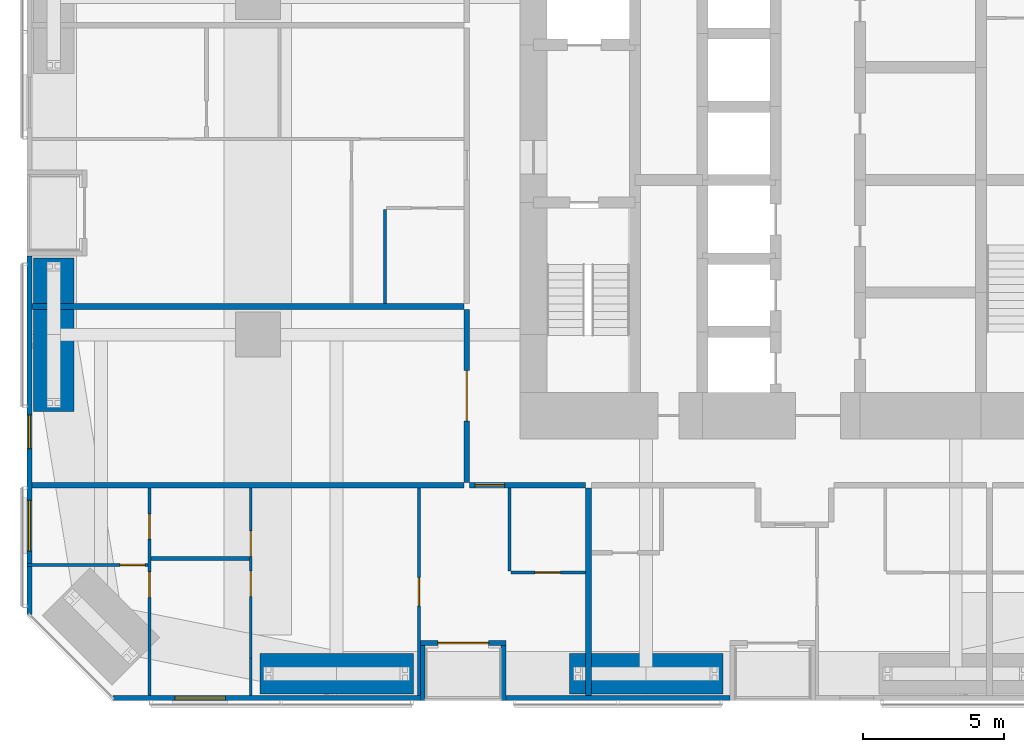
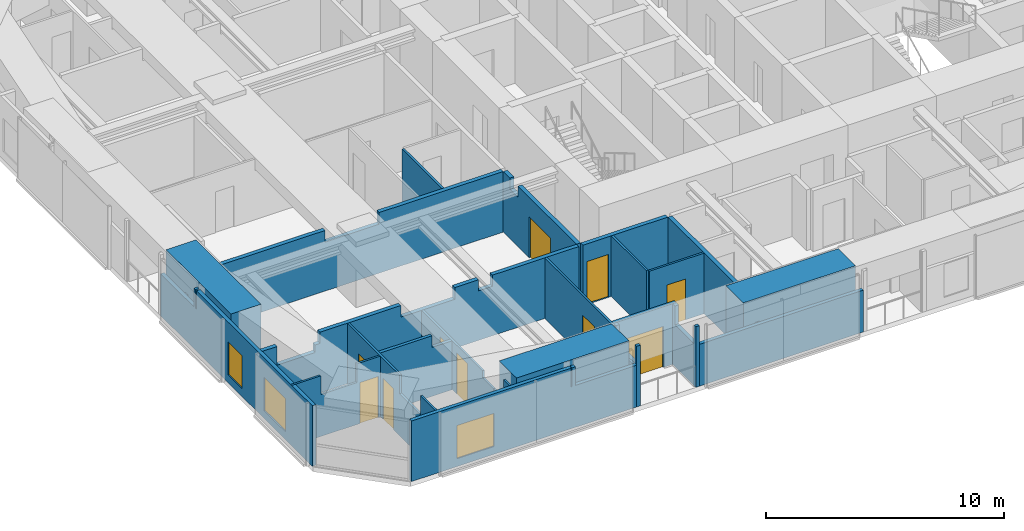
# One storey, part 16 of 23: 23 walls, 10 doors, 3 windows, 13 openings.
"""IFC4 building model written with IfcOpenShell, lengths in metres."""

from ifc_helpers import new_model, si_unit, direction, frame, frame_2d, origin, place, context, subcontext, project, spatial, polyline, rectangle, outline, extrude, material, layer, layer_set, constituent, constituent_set, type_object, element, fill, save


model = new_model("IFC4")

# Units and contexts
model_context = context("Model", 3, precision=1e-05, world=origin(), true_north=direction((0.0, 1.0)))
body_context = subcontext(model_context, "Body", "Model", "MODEL_VIEW")
ifc_project = project(units=[si_unit("LENGTHUNIT", "METRE"), si_unit("AREAUNIT", "SQUARE_METRE"), si_unit("VOLUMEUNIT", "CUBIC_METRE"), si_unit("PLANEANGLEUNIT", "RADIAN"), si_unit("MASSUNIT", "GRAM", prefix="KILO")], contexts=[model_context])

# Site, building, storey
site_placement = place(None, origin())
site = spatial("IfcSite", under=ifc_project, at=site_placement, CompositionType="ELEMENT")
building_placement = place(site_placement, origin())
building = spatial("IfcBuilding", under=site, at=building_placement, Name="Jalousie Tower", CompositionType="ELEMENT")
storey_placement = place(building_placement, frame((0.0, 0.0, 34.39990234375)))
storey = spatial("IfcBuildingStorey", under=building, at=storey_placement, Name="L08", CompositionType="ELEMENT", Elevation=34.39990234375)

# Wall
ifc_material_1 = material(Name="Concrete block ASTM C90", Category="concrete")
ifc_constituent_1 = constituent(ifc_material_1, Name="Body")
ifc_material_2 = material(Name="Render")
ifc_constituent_2 = constituent(ifc_material_2, Name="Finish")
ifc_constituent_set_1 = constituent_set(constituents=[ifc_constituent_1, ifc_constituent_2])
wall_type_1 = type_object("IfcWallType", Name="BATHROOM WALL 150", PredefinedType="PLUMBINGWALL", material=ifc_constituent_set_1)
wall_1_placement = place(storey_placement, frame((6.39990234375, 5.050048828125, 0.0), z_axis=(0.0, 0.0, 1.0), x_axis=(1.0, 0.0, 0.0)))
element("IfcWall", 1, at=wall_1_placement, inside=storey, type_object=wall_type_1, Name="Bathroom Wall 150 L08", PredefinedType="PLUMBINGWALL", context=body_context, shape_type="SweptSolid", body=[
    extrude(outline(polyline([(0.0, 0.0), (3.5, 0.0), (3.5, 3.110107421875), (3.5, 2.510009765625), (2.514892578125, 2.510009765625), (2.514892578125, 3.110107421875), (0.0, 3.110107421875), (0.0, 0.0)])), frame((0.0, 0.074951171875, 0.0), z_axis=(0.0, -1.0, 0.0), x_axis=(1.0, 0.0, 0.0)), (0.0, 0.0, 1.0), 0.14990234375),
])

# Wall, opening, door
ifc_material_3 = material(Name="Concrete block ASTM C90", Category="concrete")
ifc_constituent_3 = constituent(ifc_material_3, Name="Body")
ifc_material_4 = material(Name="Render")
ifc_constituent_4 = constituent(ifc_material_4, Name="Finish")
ifc_constituent_set_2 = constituent_set(constituents=[ifc_constituent_3, ifc_constituent_4])
wall_type_2 = type_object("IfcWallType", Name="CORRIDOR WALL 200", PredefinedType="PARTITIONING", material=ifc_constituent_set_2)
wall_2_placement = place(storey_placement, frame((17.72509765625, 7.64990234375, 0.0), z_axis=(0.0, 0.0, 1.0), x_axis=(1.0, 0.0, 0.0)))
wall_2 = element("IfcWall", 2, at=wall_2_placement, inside=storey, type_object=wall_type_2, Name="Corridor Wall 200 L08", PredefinedType="PARTITIONING", context=body_context, shape_type="SweptSolid", body=[
    extrude(rectangle(XDim=4.125, YDim=0.199951171875, at=frame_2d((2.0625, 0.0))), origin(), (0.0, 0.0, 1.0), 3.110107421875),
])
opening_1_placement = place(wall_2_placement, frame((0.199951171875, 0.0, 0.0)))
opening_1 = element("IfcOpeningElement", 3, at=opening_1_placement, cuts=wall_2, Name="Opening D1", PredefinedType="OPENING", context=body_context, shape_type="SweptSolid", body=[
    extrude(rectangle(XDim=1.050048828125, YDim=2.199951171875, at=frame_2d((0.52490234375, 1.10009765625))), frame((0.0, 0.10986328125, 0.0), z_axis=(0.0, -1.0, 0.0), x_axis=(1.0, 0.0, 0.0)), (0.0, 0.0, 1.0), 0.219970703125),
])
ifc_material_5 = material(Name="Timber fire door", Category="wood")
door_type_1 = type_object("IfcDoorType", Name="APARTMENT ENTRANCE DOOR 1050", OperationType="SINGLE_SWING_LEFT", PredefinedType="DOOR", material=ifc_material_5)
door_1_placement = place(opening_1_placement, frame((1.050048828125, 0.0, 0.0), z_axis=(0.0, 0.0, 1.0), x_axis=(-1.0, 0.0, 0.0)))
door_1 = element("IfcDoor", 4, at=door_1_placement, inside=storey, type_object=door_type_1, Name="Apartment 0801 entrance", OperationType="SINGLE_SWING_LEFT", OverallHeight=2.199951171875, OverallWidth=1.050048828125, PredefinedType="DOOR", context=body_context, shape_type="SweptSolid", body=[
    extrude(rectangle(XDim=1.050048828125, YDim=2.199951171875, at=frame_2d((0.52490234375, 1.10009765625))), frame((0.0, 0.02490234375, 0.0), z_axis=(0.0, -1.0, 0.0), x_axis=(1.0, 0.0, 0.0)), (0.0, 0.0, 1.0), 0.050048828125),
])
fill(opening_1, door_1)

wall_3_placement = place(storey_placement, frame((17.625, 7.75, 0.0), z_axis=(0.0, 0.0, 1.0), x_axis=(0.0, 1.0, 0.0)))
wall_3 = element("IfcWall", 5, at=wall_3_placement, inside=storey, type_object=wall_type_2, Name="Corridor Wall 200 L08", PredefinedType="PARTITIONING", context=body_context, shape_type="SweptSolid", body=[
    extrude(outline(polyline([(0.0, 0.0), (6.14990234375, 0.0), (6.14990234375, 3.110107421875), (5.58740234375, 3.110107421875), (5.58740234375, 2.541015625), (4.91259765625, 2.541015625), (4.91259765625, 3.110107421875), (0.0, 3.110107421875), (0.0, 0.0)])), frame((0.0, 0.10009765625, 0.0), z_axis=(0.0, -1.0, 0.0), x_axis=(1.0, 0.0, 0.0)), (0.0, 0.0, 1.0), 0.199951171875),
])
opening_2_placement = place(wall_3_placement, frame((2.175048828125, 0.0, 0.0)))
opening_2 = element("IfcOpeningElement", 6, at=opening_2_placement, cuts=wall_3, Name="Opening D22", PredefinedType="OPENING", context=body_context, shape_type="SweptSolid", body=[
    extrude(rectangle(XDim=1.800048828125, YDim=2.10009765625, at=frame_2d((0.89990234375, 1.050048828125))), frame((0.0, 0.10986328125, 0.0), z_axis=(0.0, -1.0, 0.0), x_axis=(1.0, 0.0, 0.0)), (0.0, 0.0, 1.0), 0.219970703125),
])
ifc_material_6 = material(Name="Timber fire door", Category="wood")
door_type_2 = type_object("IfcDoorType", Name="CORRIDOR DOUBLE DOOR 1800", OperationType="DOUBLE_DOOR_SINGLE_SWING", PredefinedType="DOOR", material=ifc_material_6)
door_2_placement = place(opening_2_placement, origin())
door_2 = element("IfcDoor", 7, at=door_2_placement, inside=storey, type_object=door_type_2, Name="Residents' co-working room door", OperationType="DOUBLE_DOOR_SINGLE_SWING", OverallHeight=2.10009765625, OverallWidth=1.800048828125, PredefinedType="DOOR", context=body_context, shape_type="SweptSolid", body=[
    extrude(rectangle(XDim=1.800048828125, YDim=2.10009765625, at=frame_2d((0.89990234375, 1.050048828125))), frame((0.0, 0.02490234375, 0.0), z_axis=(0.0, -1.0, 0.0), x_axis=(1.0, 0.0, 0.0)), (0.0, 0.0, 1.0), 0.050048828125),
])
fill(opening_2, door_2)

# Wall, opening, window
ifc_material_7 = material(Name="Concrete f'c 40 MPa", Category="concrete")
ifc_constituent_5 = constituent(ifc_material_7, Name="Body")
ifc_material_8 = material(Name="Render, pastel coral")
ifc_constituent_6 = constituent(ifc_material_8, Name="Finish")
ifc_constituent_set_3 = constituent_set(constituents=[ifc_constituent_5, ifc_constituent_6])
wall_type_3 = type_object("IfcWallType", Name="EXTERNAL WALL 175 CORAL RENDER", PredefinedType="SOLIDWALL", material=ifc_constituent_set_3)
wall_4_placement = place(storey_placement, frame((5.05126953125, 0.08740234375, 0.0), z_axis=(0.0, 0.0, 1.0), x_axis=(1.0, 0.0, 0.0)))
wall_4 = element("IfcWall", 8, at=wall_4_placement, inside=storey, type_object=wall_type_3, Name="External Wall 175 Coral Render L08", PredefinedType="SOLIDWALL", context=body_context, shape_type="SweptSolid", body=[
    extrude(outline(polyline([(0.0, 0.0), (10.923828125, 0.0), (10.923583984375, 2.150146484375), (7.94873046875, 2.150146484375), (7.94873046875, 3.110107421875), (7.79296875, 3.110107421875), (7.79296875, 2.150146484375), (7.74462890625, 2.150146484375), (7.74462890625, 3.110107421875), (0.0, 3.110107421875), (0.0, 0.0)])), frame((0.0, 0.08740234375, 0.0), z_axis=(0.0, -1.0, 0.0), x_axis=(1.0, 0.0, 0.0)), (0.0, 0.0, 1.0), 0.175048828125),
])
opening_3_placement = place(wall_4_placement, frame((2.19873046875, 0.0, 0.39990234375)))
opening_3 = element("IfcOpeningElement", 9, at=opening_3_placement, cuts=wall_4, Name="Opening W-BED170", PredefinedType="OPENING", context=body_context, shape_type="SweptSolid", body=[
    extrude(rectangle(XDim=1.800048828125, YDim=1.699951171875, at=frame_2d((0.89990234375, 0.85009765625))), frame((0.0, 0.097412109375, 0.0), z_axis=(0.0, -1.0, 0.0), x_axis=(1.0, 0.0, 0.0)), (0.0, 0.0, 1.0), 0.195068359375),
])
ifc_material_9 = material(Name="Aluminium frame, impact-rated glazing", Category="aluminium")
window_type_1 = type_object("IfcWindowType", Name="WINDOW BED 1800x1700", PartitioningType="SINGLE_PANEL", PredefinedType="WINDOW", material=ifc_material_9)
window_1_placement = place(opening_3_placement, origin())
window_1 = element("IfcWindow", 10, at=window_1_placement, inside=storey, type_object=window_type_1, Name="Apartment 0801 bedroom 2 window", OverallHeight=1.699951171875, OverallWidth=1.800048828125, PartitioningType="SINGLE_PANEL", PredefinedType="WINDOW", context=body_context, shape_type="SweptSolid", body=[
    extrude(rectangle(XDim=1.800048828125, YDim=1.699951171875, at=frame_2d((0.89990234375, 0.85009765625))), frame((0.0, 0.030029296875, 0.0), z_axis=(0.0, -1.0, 0.0), x_axis=(1.0, 0.0, 0.0)), (0.0, 0.0, 1.0), 0.06005859375),
])
fill(opening_3, window_1)

# Wall
wall_5_placement = place(storey_placement, frame((19.02490234375, 0.08740234375, 0.0), z_axis=(0.0, 0.0, 1.0), x_axis=(1.0, 0.0, 0.0)))
element("IfcWall", 11, at=wall_5_placement, inside=storey, type_object=wall_type_3, Name="External Wall 175 Coral Render L08", PredefinedType="SOLIDWALL", context=body_context, shape_type="SweptSolid", body=[
    extrude(rectangle(XDim=7.9501953125, YDim=0.175048828125, at=frame_2d((3.97509765625, 0.0))), origin(), (0.0, 0.0, 1.0), 2.150146484375),
])

# Wall, opening, door
wall_6_placement = place(storey_placement, frame((15.97509765625, 2.03759765625, 0.0), z_axis=(0.0, 0.0, 1.0), x_axis=(1.0, 0.0, 0.0)))
wall_6 = element("IfcWall", 12, at=wall_6_placement, inside=storey, type_object=wall_type_3, Name="External Wall 175 Coral Render L08", PredefinedType="SOLIDWALL", context=body_context, shape_type="SweptSolid", body=[
    extrude(rectangle(XDim=3.0498046875, YDim=0.175048828125, at=frame_2d((1.52490234375, 0.0))), origin(), (0.0, 0.0, 1.0), 3.110107421875),
])
opening_4_placement = place(wall_6_placement, frame((0.625, 0.0, 0.0)))
opening_4 = element("IfcOpeningElement", 13, at=opening_4_placement, cuts=wall_6, Name="Opening D-BAL21", PredefinedType="OPENING", context=body_context, shape_type="SweptSolid", body=[
    extrude(rectangle(XDim=1.800048828125, YDim=2.10009765625, at=frame_2d((0.89990234375, 1.050048828125))), frame((0.0, 0.097412109375, 0.0), z_axis=(0.0, -1.0, 0.0), x_axis=(1.0, 0.0, 0.0)), (0.0, 0.0, 1.0), 0.195068359375),
])
ifc_material_10 = material(Name="Aluminium frame, impact-rated glazing", Category="aluminium")
door_type_3 = type_object("IfcDoorType", Name="BALCONY DOOR 1800x2100", OperationType="SLIDING_TO_LEFT", PredefinedType="DOOR", material=ifc_material_10)
door_3_placement = place(opening_4_placement, origin())
door_3 = element("IfcDoor", 14, at=door_3_placement, inside=storey, type_object=door_type_3, Name="Apartment 0801 living room loggia door", OperationType="SLIDING_TO_LEFT", OverallHeight=2.10009765625, OverallWidth=1.800048828125, PredefinedType="DOOR", context=body_context, shape_type="SweptSolid", body=[
    extrude(rectangle(XDim=1.800048828125, YDim=2.10009765625, at=frame_2d((0.89990234375, 1.050048828125))), frame((0.0, 0.02490234375, 0.0), z_axis=(0.0, -1.0, 0.0), x_axis=(1.0, 0.0, 0.0)), (0.0, 0.0, 1.0), 0.050048828125),
])
fill(opening_4, door_3)

# Walls
for number, where, z_axis, x_axis, name in (
    (15, (16.0625, 0.0, 0.0), (0.0, 0.0, 1.0), (0.0, 1.0, 0.0), "External Wall 175 Coral Render L08"),
    (16, (18.9375, 0.0, 0.0), (0.0, 0.0, 1.0), (0.0, 1.0, 0.0), "External Wall 175 Coral Render L08"),
):
    element("IfcWall", number, at=place(storey_placement, frame(where, z_axis=z_axis, x_axis=x_axis)), inside=storey, type_object=wall_type_3, Name=name, PredefinedType="SOLIDWALL", context=body_context, shape_type="SweptSolid", body=[
        extrude(outline(polyline([(0.0, 0.0), (1.949951171875, 0.0), (1.949951171875, 3.110107421875), (1.75, 3.110107421875), (1.75, 2.150146484375), (0.14990234375, 2.150146484375), (0.14990234375, 3.110107421875), (0.0, 3.110107421875), (0.0, 0.0)])), frame((0.0, 0.08740234375, 0.0), z_axis=(0.0, -1.0, 0.0), x_axis=(1.0, 0.0, 0.0)), (0.0, 0.0, 1.0), 0.175048828125),
    ])

# Wall, openings, windows
wall_7_placement = place(storey_placement, frame((2.08740234375, 15.800048828125, 0.0), z_axis=(0.0, 0.0, 1.0), x_axis=(0.0, -1.0, 0.0)))
wall_7 = element("IfcWall", 17, at=wall_7_placement, inside=storey, type_object=wall_type_3, Name="External Wall 175 Coral Render L08", PredefinedType="SOLIDWALL", context=body_context, shape_type="SweptSolid", body=[
    extrude(outline(polyline([(0.0, 0.0), (12.748779296875, 0.0), (12.748779296875, 3.110107421875), (3.0185546875, 3.110107421875), (3.0185546875, 2.150146484375), (2.92578125, 2.150146484375), (2.92578125, 3.110107421875), (2.800048828125, 3.110107421875), (2.800048828125, 2.150146484375), (0.0, 2.150146484375), (0.0, 0.0)])), frame((0.0, 0.08740234375, 0.0), z_axis=(0.0, -1.0, 0.0), x_axis=(1.0, 0.0, 0.0)), (0.0, 0.0, 1.0), 0.175048828125),
])
opening_5_placement = place(wall_7_placement, frame((5.64990234375, 0.0, 0.39990234375)))
opening_5 = element("IfcOpeningElement", 18, at=opening_5_placement, cuts=wall_7, Name="Opening W-COR170", PredefinedType="OPENING", context=body_context, shape_type="SweptSolid", body=[
    extrude(rectangle(XDim=1.199951171875, YDim=1.699951171875, at=frame_2d((0.60009765625, 0.85009765625))), frame((0.0, 0.097412109375, 0.0), z_axis=(0.0, -1.0, 0.0), x_axis=(1.0, 0.0, 0.0)), (0.0, 0.0, 1.0), 0.195068359375),
])
opening_6_placement = place(wall_7_placement, frame((8.69140625, 0.0, 0.39990234375)))
opening_6 = element("IfcOpeningElement", 19, at=opening_6_placement, cuts=wall_7, Name="Opening W-BED170", PredefinedType="OPENING", context=body_context, shape_type="SweptSolid", body=[
    extrude(rectangle(XDim=1.800048828125, YDim=1.699951171875, at=frame_2d((0.89990234375, 0.85009765625))), frame((0.0, 0.097412109375, 0.0), z_axis=(0.0, -1.0, 0.0), x_axis=(1.0, 0.0, 0.0)), (0.0, 0.0, 1.0), 0.195068359375),
])
window_2_placement = place(opening_6_placement, origin())
window_2 = element("IfcWindow", 20, at=window_2_placement, inside=storey, type_object=window_type_1, Name="Apartment 0801 bedroom 1 window", OverallHeight=1.699951171875, OverallWidth=1.800048828125, PartitioningType="SINGLE_PANEL", PredefinedType="WINDOW", context=body_context, shape_type="SweptSolid", body=[
    extrude(rectangle(XDim=1.800048828125, YDim=1.699951171875, at=frame_2d((0.89990234375, 0.85009765625))), frame((0.0, 0.030029296875, 0.0), z_axis=(0.0, -1.0, 0.0), x_axis=(1.0, 0.0, 0.0)), (0.0, 0.0, 1.0), 0.06005859375),
])
fill(opening_6, window_2)
ifc_material_11 = material(Name="Aluminium frame, impact-rated glazing", Category="aluminium")
window_type_2 = type_object("IfcWindowType", Name="WINDOW COR 1200x1700", PartitioningType="SINGLE_PANEL", PredefinedType="WINDOW", material=ifc_material_11)
window_3_placement = place(opening_5_placement, origin())
window_3 = element("IfcWindow", 21, at=window_3_placement, inside=storey, type_object=window_type_2, Name="Residents' co-working room window", OverallHeight=1.699951171875, OverallWidth=1.199951171875, PartitioningType="SINGLE_PANEL", PredefinedType="WINDOW", context=body_context, shape_type="SweptSolid", body=[
    extrude(rectangle(XDim=1.199951171875, YDim=1.699951171875, at=frame_2d((0.60009765625, 0.85009765625))), frame((0.0, 0.030029296875, 0.0), z_axis=(0.0, -1.0, 0.0), x_axis=(1.0, 0.0, 0.0)), (0.0, 0.0, 1.0), 0.06005859375),
])
fill(opening_5, window_3)

# Wall, openings, doors
ifc_material_12 = material(Name="Gypsum board", Category="gypsum")
ifc_constituent_7 = constituent(ifc_material_12, Name="Body")
ifc_material_13 = material(Name="Light-gauge steel studs ASTM A653 SS Grade 33", Category="steel")
ifc_constituent_8 = constituent(ifc_material_13, Name="Framing")
ifc_constituent_set_4 = constituent_set(constituents=[ifc_constituent_7, ifc_constituent_8])
wall_type_4 = type_object("IfcWallType", Name="PARTITION 100", PredefinedType="PARTITIONING", material=ifc_constituent_set_4)
wall_8_placement = place(storey_placement, frame((6.35009765625, 0.175048828125, 0.0), z_axis=(0.0, 0.0, 1.0), x_axis=(0.0, 1.0, 0.0)))
wall_8 = element("IfcWall", 22, at=wall_8_placement, inside=storey, type_object=wall_type_4, Name="Partition 100 L08", PredefinedType="PARTITIONING", context=body_context, shape_type="SweptSolid", body=[
    extrude(outline(polyline([(0.0, 0.0), (7.375, 0.0), (7.375, 3.110107421875), (2.98828125, 3.110107421875), (2.98828125, 2.150146484375), (1.23388671875, 2.150146484375), (1.23388671875, 3.110107421875), (0.0, 3.110107421875), (0.0, 0.0)])), frame((0.0, 0.050048828125, 0.0), z_axis=(0.0, -1.0, 0.0), x_axis=(1.0, 0.0, 0.0)), (0.0, 0.0, 1.0), 0.10009765625),
])
opening_7_placement = place(wall_8_placement, frame((3.492431640625, 0.0, 0.0)))
opening_7 = element("IfcOpeningElement", 23, at=opening_7_placement, cuts=wall_8, Name="Opening D2", PredefinedType="OPENING", context=body_context, shape_type="SweptSolid", body=[
    extrude(rectangle(XDim=0.89990234375, YDim=2.10009765625, at=frame_2d((0.449951171875, 1.050048828125))), frame((0.0, 0.06005859375, 0.0), z_axis=(0.0, -1.0, 0.0), x_axis=(1.0, 0.0, 0.0)), (0.0, 0.0, 1.0), 0.1201171875),
])
opening_8_placement = place(wall_8_placement, frame((5.55859375, 0.0, 0.0)))
opening_8 = element("IfcOpeningElement", 24, at=opening_8_placement, cuts=wall_8, Name="Opening D3", PredefinedType="OPENING", context=body_context, shape_type="SweptSolid", body=[
    extrude(rectangle(XDim=0.89990234375, YDim=2.10009765625, at=frame_2d((0.449951171875, 1.050048828125))), frame((0.0, 0.06005859375, 0.0), z_axis=(0.0, -1.0, 0.0), x_axis=(1.0, 0.0, 0.0)), (0.0, 0.0, 1.0), 0.1201171875),
])
ifc_material_14 = material(Name="Timber door", Category="wood")
door_type_4 = type_object("IfcDoorType", Name="BATHROOM DOOR 900", OperationType="SINGLE_SWING_LEFT", PredefinedType="DOOR", material=ifc_material_14)
door_4_placement = place(opening_8_placement, frame((0.89990234375, 0.0, 0.0), z_axis=(0.0, 0.0, 1.0), x_axis=(-1.0, 0.0, 0.0)))
door_4 = element("IfcDoor", 25, at=door_4_placement, inside=storey, type_object=door_type_4, Name="Apartment 0801 bedroom 1 bathroom door", OperationType="SINGLE_SWING_RIGHT", OverallHeight=2.10009765625, OverallWidth=0.89990234375, PredefinedType="DOOR", context=body_context, shape_type="SweptSolid", body=[
    extrude(rectangle(XDim=0.89990234375, YDim=2.10009765625, at=frame_2d((0.449951171875, 1.050048828125))), frame((0.0, 0.02490234375, 0.0), z_axis=(0.0, -1.0, 0.0), x_axis=(1.0, 0.0, 0.0)), (0.0, 0.0, 1.0), 0.050048828125),
])
fill(opening_8, door_4)
ifc_material_15 = material(Name="Timber door", Category="wood")
door_type_5 = type_object("IfcDoorType", Name="BEDROOM DOOR 900", OperationType="SINGLE_SWING_LEFT", PredefinedType="DOOR", material=ifc_material_15)
door_5_placement = place(opening_7_placement, frame((0.89990234375, 0.0, 0.0), z_axis=(0.0, 0.0, 1.0), x_axis=(-1.0, 0.0, 0.0)))
door_5 = element("IfcDoor", 26, at=door_5_placement, inside=storey, type_object=door_type_5, Name="Apartment 0801 bedroom 1 door", OperationType="SINGLE_SWING_LEFT", OverallHeight=2.10009765625, OverallWidth=0.89990234375, PredefinedType="DOOR", context=body_context, shape_type="SweptSolid", body=[
    extrude(rectangle(XDim=0.89990234375, YDim=2.10009765625, at=frame_2d((0.449951171875, 1.050048828125))), frame((0.0, 0.02490234375, 0.0), z_axis=(0.0, -1.0, 0.0), x_axis=(1.0, 0.0, 0.0)), (0.0, 0.0, 1.0), 0.050048828125),
])
fill(opening_7, door_5)

# Wall
wall_9_placement = place(storey_placement, frame((9.949951171875, 0.175048828125, 0.0), z_axis=(0.0, 0.0, 1.0), x_axis=(0.0, 1.0, 0.0)))
element("IfcWall", 27, at=wall_9_placement, inside=storey, type_object=wall_type_4, Name="Partition 100 L08-A", PredefinedType="PARTITIONING", context=body_context, shape_type="SweptSolid", body=[
    extrude(outline(polyline([(0.0, 0.0), (1.337646484375, 0.0), (1.337646484375, 2.150146484375), (0.510498046875, 2.150146484375), (0.510498046875, 3.110107421875), (0.0, 3.110107421875), (0.0, 0.0)])), frame((0.0, 0.050048828125, 0.0), z_axis=(0.0, -1.0, 0.0), x_axis=(1.0, 0.0, 0.0)), (0.0, 0.0, 1.0), 0.10009765625),
])

# Wall, openings, doors
wall_10_placement = place(storey_placement, frame((9.949951171875, 1.5126953125, 0.0), z_axis=(0.0, 0.0, 1.0), x_axis=(0.0, 1.0, 0.0)))
wall_10 = element("IfcWall", 28, at=wall_10_placement, inside=storey, type_object=wall_type_4, Name="Partition 100 L08-B", PredefinedType="PARTITIONING", context=body_context, shape_type="SweptSolid", body=[
    extrude(outline(polyline([(0.0, 0.0), (6.037353515625, 0.0), (6.037353515625, 2.510009765625), (0.927490234375, 2.510009765625), (0.927490234375, 2.150146484375), (0.0, 2.150146484375), (0.0, 0.0)])), frame((0.0, 0.050048828125, 0.0), z_axis=(0.0, -1.0, 0.0), x_axis=(1.0, 0.0, 0.0)), (0.0, 0.0, 1.0), 0.10009765625),
])
opening_9_placement = place(wall_10_placement, frame((2.1875, 0.0, 0.0)))
opening_9 = element("IfcOpeningElement", 29, at=opening_9_placement, cuts=wall_10, Name="Opening D2", PredefinedType="OPENING", context=body_context, shape_type="SweptSolid", body=[
    extrude(rectangle(XDim=0.89990234375, YDim=2.10009765625, at=frame_2d((0.449951171875, 1.050048828125))), frame((0.0, 0.06005859375, 0.0), z_axis=(0.0, -1.0, 0.0), x_axis=(1.0, 0.0, 0.0)), (0.0, 0.0, 1.0), 0.1201171875),
])
opening_10_placement = place(wall_10_placement, frame((3.6123046875, 0.0, 0.0)))
opening_10 = element("IfcOpeningElement", 30, at=opening_10_placement, cuts=wall_10, Name="Opening D7", PredefinedType="OPENING", context=body_context, shape_type="SweptSolid", body=[
    extrude(rectangle(XDim=0.89990234375, YDim=2.10009765625, at=frame_2d((0.449951171875, 1.050048828125))), frame((0.0, 0.06005859375, 0.0), z_axis=(0.0, -1.0, 0.0), x_axis=(1.0, 0.0, 0.0)), (0.0, 0.0, 1.0), 0.1201171875),
])
door_6_placement = place(opening_9_placement, origin())
door_6 = element("IfcDoor", 31, at=door_6_placement, inside=storey, type_object=door_type_5, Name="Apartment 0801 bedroom 2 door", OperationType="SINGLE_SWING_RIGHT", OverallHeight=2.10009765625, OverallWidth=0.89990234375, PredefinedType="DOOR", context=body_context, shape_type="SweptSolid", body=[
    extrude(rectangle(XDim=0.89990234375, YDim=2.10009765625, at=frame_2d((0.449951171875, 1.050048828125))), frame((0.0, 0.02490234375, 0.0), z_axis=(0.0, -1.0, 0.0), x_axis=(1.0, 0.0, 0.0)), (0.0, 0.0, 1.0), 0.050048828125),
])
fill(opening_9, door_6)
ifc_material_16 = material(Name="Timber door", Category="wood")
door_type_6 = type_object("IfcDoorType", Name="INTERNAL DOOR 900", OperationType="SINGLE_SWING_LEFT", PredefinedType="DOOR", material=ifc_material_16)
door_7_placement = place(opening_10_placement, origin())
door_7 = element("IfcDoor", 32, at=door_7_placement, inside=storey, type_object=door_type_6, Name="Apartment 0801 bathroom door", OperationType="SINGLE_SWING_LEFT", OverallHeight=2.10009765625, OverallWidth=0.89990234375, PredefinedType="DOOR", context=body_context, shape_type="SweptSolid", body=[
    extrude(rectangle(XDim=0.89990234375, YDim=2.10009765625, at=frame_2d((0.449951171875, 1.050048828125))), frame((0.0, 0.02490234375, 0.0), z_axis=(0.0, -1.0, 0.0), x_axis=(1.0, 0.0, 0.0)), (0.0, 0.0, 1.0), 0.050048828125),
])
fill(opening_10, door_7)

# Wall, opening, door
wall_11_placement = place(storey_placement, frame((2.0, 4.8173828125, 0.0), z_axis=(0.0, 0.0, 1.0), x_axis=(1.0, 0.0, 0.0)))
wall_11 = element("IfcWall", 33, at=wall_11_placement, inside=storey, type_object=wall_type_4, Name="Partition 100 L08", PredefinedType="PARTITIONING", context=body_context, shape_type="SweptSolid", body=[
    extrude(outline(polyline([(0.0, 0.0), (4.300048828125, 0.0), (4.300048828125, 3.110107421875), (3.148193359375, 3.110107421875), (3.148193359375, 2.150146484375), (1.40576171875, 2.150146484375), (1.40576171875, 3.110107421875), (0.0, 3.110107421875), (0.0, 0.0)])), frame((0.0, 0.050048828125, 0.0), z_axis=(0.0, -1.0, 0.0), x_axis=(1.0, 0.0, 0.0)), (0.0, 0.0, 1.0), 0.10009765625),
])
opening_11_placement = place(wall_11_placement, frame((3.300048828125, 0.0, 0.0)))
opening_11 = element("IfcOpeningElement", 34, at=opening_11_placement, cuts=wall_11, Name="Opening D7", PredefinedType="OPENING", context=body_context, shape_type="SweptSolid", body=[
    extrude(rectangle(XDim=0.89990234375, YDim=2.10009765625, at=frame_2d((0.449951171875, 1.050048828125))), frame((0.0, 0.06005859375, 0.0), z_axis=(0.0, -1.0, 0.0), x_axis=(1.0, 0.0, 0.0)), (0.0, 0.0, 1.0), 0.1201171875),
])
door_8_placement = place(opening_11_placement, origin())
door_8 = element("IfcDoor", 35, at=door_8_placement, inside=storey, type_object=door_type_6, Name="Apartment 0801 bedroom 1 dressing hall door", OperationType="SINGLE_SWING_RIGHT", OverallHeight=2.10009765625, OverallWidth=0.89990234375, PredefinedType="DOOR", context=body_context, shape_type="SweptSolid", body=[
    extrude(rectangle(XDim=0.89990234375, YDim=2.10009765625, at=frame_2d((0.449951171875, 1.050048828125))), frame((0.0, 0.02490234375, 0.0), z_axis=(0.0, -1.0, 0.0), x_axis=(1.0, 0.0, 0.0)), (0.0, 0.0, 1.0), 0.050048828125),
])
fill(opening_11, door_8)

wall_12_placement = place(storey_placement, frame((19.199951171875, 4.550048828125, 0.0), z_axis=(0.0, 0.0, 1.0), x_axis=(1.0, 0.0, 0.0)))
wall_12 = element("IfcWall", 36, at=wall_12_placement, inside=storey, type_object=wall_type_4, Name="Partition 100 L08", PredefinedType="PARTITIONING", context=body_context, shape_type="SweptSolid", body=[
    extrude(rectangle(XDim=2.650146484375, YDim=0.10009765625, at=frame_2d((1.3251953125, 0.0))), origin(), (0.0, 0.0, 1.0), 3.110107421875),
])
opening_12_placement = place(wall_12_placement, frame((0.85009765625, 0.0, 0.0)))
opening_12 = element("IfcOpeningElement", 37, at=opening_12_placement, cuts=wall_12, Name="Opening D7", PredefinedType="OPENING", context=body_context, shape_type="SweptSolid", body=[
    extrude(rectangle(XDim=0.89990234375, YDim=2.10009765625, at=frame_2d((0.449951171875, 1.050048828125))), frame((0.0, 0.06005859375, 0.0), z_axis=(0.0, -1.0, 0.0), x_axis=(1.0, 0.0, 0.0)), (0.0, 0.0, 1.0), 0.1201171875),
])
door_9_placement = place(opening_12_placement, origin())
door_9 = element("IfcDoor", 38, at=door_9_placement, inside=storey, type_object=door_type_6, Name="Apartment 0801 kitchen door", OperationType="SINGLE_SWING_LEFT", OverallHeight=2.10009765625, OverallWidth=0.89990234375, PredefinedType="DOOR", context=body_context, shape_type="SweptSolid", body=[
    extrude(rectangle(XDim=0.89990234375, YDim=2.10009765625, at=frame_2d((0.449951171875, 1.050048828125))), frame((0.0, 0.02490234375, 0.0), z_axis=(0.0, -1.0, 0.0), x_axis=(1.0, 0.0, 0.0)), (0.0, 0.0, 1.0), 0.050048828125),
])
fill(opening_12, door_9)

# Wall
wall_13_placement = place(storey_placement, frame((19.14990234375, 4.60009765625, 0.0), z_axis=(0.0, 0.0, 1.0), x_axis=(0.0, 1.0, 0.0)))
element("IfcWall", 39, at=wall_13_placement, inside=storey, type_object=wall_type_4, Name="Partition 100 L08", PredefinedType="PARTITIONING", context=body_context, shape_type="SweptSolid", body=[
    extrude(rectangle(XDim=2.949951171875, YDim=0.10009765625, at=frame_2d((1.47509765625, 0.0))), origin(), (0.0, 0.0, 1.0), 3.110107421875),
])

# Wall, opening, door
wall_14_placement = place(storey_placement, frame((15.925048828125, 0.175048828125, 0.0), z_axis=(0.0, 0.0, 1.0), x_axis=(0.0, 1.0, 0.0)))
wall_14 = element("IfcWall", 40, at=wall_14_placement, inside=storey, type_object=wall_type_4, Name="Partition 100 L08", PredefinedType="PARTITIONING", context=body_context, shape_type="SweptSolid", body=[
    extrude(outline(polyline([(0.0, 0.0), (7.375, 0.0), (7.375, 3.110107421875), (1.635009765625, 3.110107421875), (1.635009765625, 2.150146484375), (0.0, 2.150146484375), (0.0, 3.110107421875), (0.0, 0.0)])), frame((0.0, 0.050048828125, 0.0), z_axis=(0.0, -1.0, 0.0), x_axis=(1.0, 0.0, 0.0)), (0.0, 0.0, 1.0), 0.10009765625),
])
opening_13_placement = place(wall_14_placement, frame((3.1875, 0.0, 0.0)))
opening_13 = element("IfcOpeningElement", 41, at=opening_13_placement, cuts=wall_14, Name="Opening D6", PredefinedType="OPENING", context=body_context, shape_type="SweptSolid", body=[
    extrude(rectangle(XDim=1.0, YDim=2.10009765625, at=frame_2d((0.5, 1.050048828125))), frame((0.0, 0.06005859375, 0.0), z_axis=(0.0, -1.0, 0.0), x_axis=(1.0, 0.0, 0.0)), (0.0, 0.0, 1.0), 0.1201171875),
])
ifc_material_17 = material(Name="Timber door", Category="wood")
door_type_7 = type_object("IfcDoorType", Name="INTERNAL DOOR 1000", OperationType="SINGLE_SWING_LEFT", PredefinedType="DOOR", material=ifc_material_17)
door_10_placement = place(opening_13_placement, origin())
door_10 = element("IfcDoor", 42, at=door_10_placement, inside=storey, type_object=door_type_7, Name="Apartment 0801 dining room door", OperationType="SINGLE_SWING_LEFT", OverallHeight=2.10009765625, OverallWidth=1.0, PredefinedType="DOOR", context=body_context, shape_type="SweptSolid", body=[
    extrude(rectangle(XDim=1.0, YDim=2.10009765625, at=frame_2d((0.5, 1.050048828125))), frame((0.0, 0.02490234375, 0.0), z_axis=(0.0, -1.0, 0.0), x_axis=(1.0, 0.0, 0.0)), (0.0, 0.0, 1.0), 0.050048828125),
])
fill(opening_13, door_10)

# Walls
wall_15_placement = place(storey_placement, frame((14.72509765625, 14.10009765625, 0.0), z_axis=(0.0, 0.0, 1.0), x_axis=(0.0, 1.0, 0.0)))
element("IfcWall", 43, at=wall_15_placement, inside=storey, type_object=wall_type_4, Name="Partition 100 L08", PredefinedType="PARTITIONING", context=body_context, shape_type="SweptSolid", body=[
    extrude(rectangle(XDim=3.349853515625, YDim=0.10009765625, at=frame_2d((1.6748046875, 0.0))), origin(), (0.0, 0.0, 1.0), 3.110107421875),
])
ifc_material_18 = material(Name="Concrete block ASTM C90", Category="concrete")
ifc_constituent_9 = constituent(ifc_material_18, Name="Body")
ifc_material_19 = material(Name="Render")
ifc_constituent_10 = constituent(ifc_material_19, Name="Finish")
ifc_constituent_set_5 = constituent_set(constituents=[ifc_constituent_9, ifc_constituent_10])
wall_type_5 = type_object("IfcWallType", Name="PARTY WALL 200", PredefinedType="PARTITIONING", material=ifc_constituent_set_5)
wall_16_placement = place(storey_placement, frame((21.949951171875, 0.175048828125, 0.0), z_axis=(0.0, 0.0, 1.0), x_axis=(0.0, 1.0, 0.0)))
element("IfcWall", 44, at=wall_16_placement, inside=storey, type_object=wall_type_5, Name="Party Wall 200 L08", PredefinedType="PARTITIONING", context=body_context, shape_type="SweptSolid", body=[
    extrude(outline(polyline([(0.52880859375, 2.150146484375), (0.0, 2.150146484375), (0.0, 0.0), (0.52880859375, 0.0), (0.52880859375, 0.090087890625), (1.021240234375, 0.090087890625), (1.021240234375, 0.0), (7.375, 0.0), (7.375, 3.110107421875), (1.68505859375, 3.110107421875), (1.68505859375, 2.150146484375), (1.021240234375, 2.150146484375), (1.021240234375, 2.06005859375), (0.52880859375, 2.06005859375), (0.52880859375, 2.150146484375)])), frame((0.0, 0.10009765625, 0.0), z_axis=(0.0, -1.0, 0.0), x_axis=(1.0, 0.0, 0.0)), (0.0, 0.0, 1.0), 0.199951171875),
])
wall_17_placement = place(storey_placement, frame((2.0, 7.64990234375, 0.0), z_axis=(0.0, 0.0, 1.0), x_axis=(1.0, 0.0, 0.0)))
element("IfcWall", 45, at=wall_17_placement, inside=storey, type_object=wall_type_5, Name="Party Wall 200 L08", PredefinedType="PARTITIONING", context=body_context, shape_type="SweptSolid", body=[
    extrude(outline(polyline([(0.0, 0.0), (15.52490234375, 0.0), (15.52490234375, 3.110107421875), (11.33740234375, 3.110107421875), (11.33740234375, 2.541015625), (10.66259765625, 2.541015625), (10.66259765625, 3.110107421875), (9.510009765625, 3.110107421875), (9.510009765625, 2.510009765625), (6.889892578125, 2.510009765625), (6.889892578125, 3.110107421875), (2.96875, 3.110107421875), (2.96875, 2.541015625), (2.739501953125, 2.541015625), (2.739501953125, 2.150146484375), (0.895751953125, 2.150146484375), (0.895751953125, 3.110107421875), (0.0, 3.110107421875), (0.0, 0.0)])), frame((0.0, 0.10009765625, 0.0), z_axis=(0.0, -1.0, 0.0), x_axis=(1.0, 0.0, 0.0)), (0.0, 0.0, 1.0), 0.199951171875),
])
wall_18_placement = place(storey_placement, frame((2.175048828125, 14.0, 0.0), z_axis=(0.0, 0.0, 1.0), x_axis=(1.0, 0.0, 0.0)))
element("IfcWall", 46, at=wall_18_placement, inside=storey, type_object=wall_type_5, Name="Party Wall 200 L08", PredefinedType="PARTITIONING", context=body_context, shape_type="SweptSolid", body=[
    extrude(outline(polyline([(0.52880859375, 2.150146484375), (0.0, 2.150146484375), (0.0, 0.0), (0.52880859375, 0.0), (0.52880859375, 0.8154296875), (1.021240234375, 0.8154296875), (1.021240234375, 0.0), (15.35009765625, 0.0), (15.35009765625, 3.110107421875), (9.3349609375, 3.110107421875), (9.3349609375, 2.510009765625), (6.715087890625, 2.510009765625), (6.715087890625, 3.110107421875), (1.68505859375, 3.110107421875), (1.68505859375, 2.150146484375), (1.021240234375, 2.150146484375), (1.021240234375, 1.334716796875), (0.52880859375, 1.334716796875), (0.52880859375, 2.150146484375)])), frame((0.0, 0.10009765625, 0.0), z_axis=(0.0, -1.0, 0.0), x_axis=(1.0, 0.0, 0.0)), (0.0, 0.0, 1.0), 0.199951171875),
])
ifc_material_20 = material(Name="Concrete f'c 120 MPa", Category="concrete")
ifc_layer = layer(ifc_material_20, 1.449951171875)
ifc_layer_set = layer_set([ifc_layer], Name="Concrete f'c 120 MPa")
wall_type_6 = type_object("IfcWallType", Name="RC WALL PIER 1450", PredefinedType="SHEAR", material=ifc_layer_set)
for number, where, z_axis, x_axis, name in (
    (47, (10.27490234375, 0.949951171875, 0.0), (0.0, 0.0, 1.0), (1.0, 0.0, 0.0), "Wall pier 02 L08"),
    (48, (21.27490234375, 0.949951171875, 0.0), (0.0, 0.0, 1.0), (1.0, 0.0, 0.0), "Wall pier 03 L08"),
    (49, (2.949951171875, 10.27490234375, 0.0), (0.0, 0.0, 1.0), (0.0, 1.0, 0.0), "Wall pier 14 L08"),
):
    element("IfcWall", number, at=place(storey_placement, frame(where, z_axis=z_axis, x_axis=x_axis)), inside=storey, type_object=wall_type_6, Name=name, PredefinedType="SHEAR", context=body_context, shape_type="SweptSolid", body=[
        extrude(rectangle(XDim=5.4501953125, YDim=1.449951171875, at=frame_2d((2.72509765625, 0.0))), origin(), (0.0, 0.0, 1.0), 3.35009765625),
    ])

save(model, "model.ifc")
